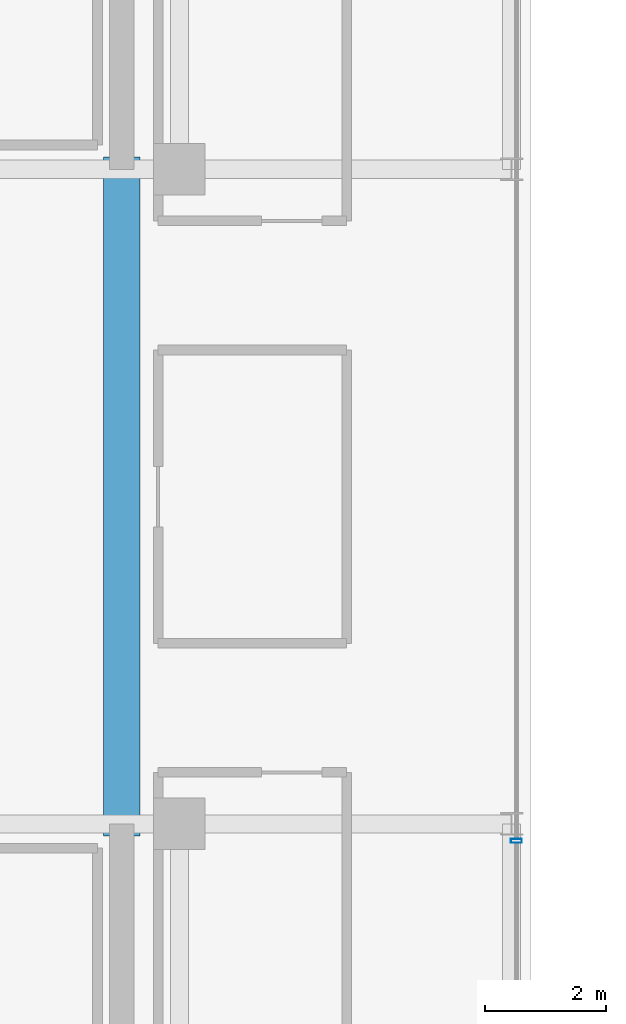
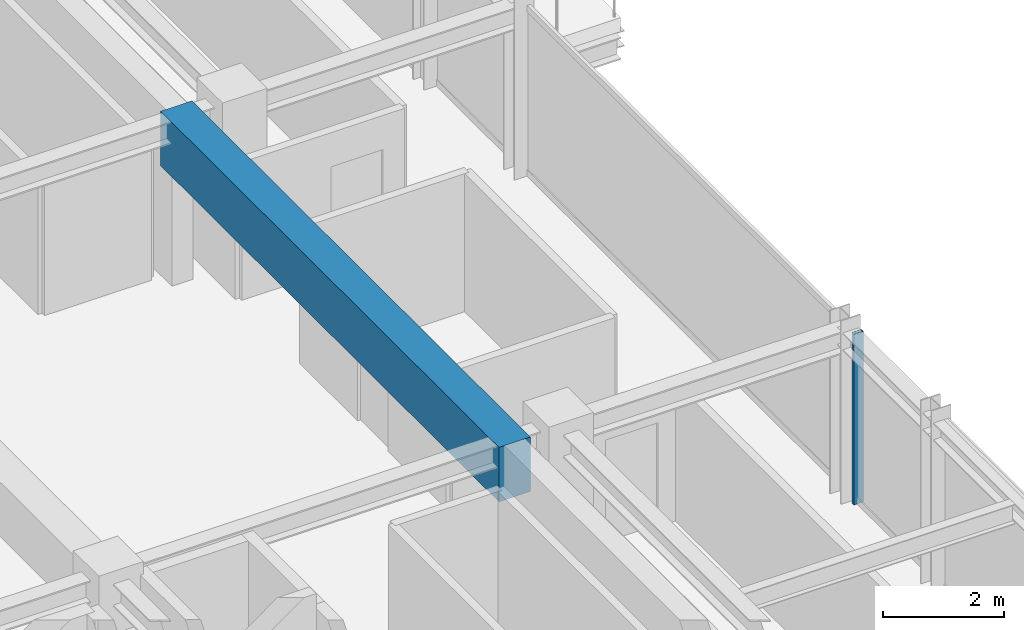
# One storey, part 13 of 32: 1 beam, 1 member, 1 element without a shape of its own.
"""IFC4 building model written with IfcOpenShell, lengths in metres."""

from ifc_helpers import new_model, si_unit, direction, frame, origin, origin_2d, place, context, subcontext, project, spatial, rectangle, hollow_rectangle, extrude, source, transform, mapped, material, material_profile, profile_set, type_object, element, aggregate, save


model = new_model("IFC4")

# Units and contexts
model_context = context("Model", 3, precision=1e-05, world=origin(), true_north=direction((0.0, 1.0)))
body_context = subcontext(model_context, "Body", "Model", "MODEL_VIEW")
ifc_project = project(units=[si_unit("LENGTHUNIT", "METRE"), si_unit("AREAUNIT", "SQUARE_METRE"), si_unit("VOLUMEUNIT", "CUBIC_METRE"), si_unit("PLANEANGLEUNIT", "RADIAN"), si_unit("MASSUNIT", "GRAM", prefix="KILO")], contexts=[model_context])

# Site, building, storey
site_placement = place(None, origin())
site = spatial("IfcSite", under=ifc_project, at=site_placement, CompositionType="ELEMENT")
building_placement = place(site_placement, origin())
building = spatial("IfcBuilding", under=site, at=building_placement, Name="Nahalor Promenade Grand Hotel", CompositionType="ELEMENT")
storey_placement = place(building_placement, frame((0.0, 0.0, 285.050048828125)))
storey = spatial("IfcBuildingStorey", under=building, at=storey_placement, Name="L73", CompositionType="ELEMENT", Elevation=285.050048828125)

# Beam
ifc_material_1 = material(Name="Concrete B-60 (C50/60)", Category="concrete")
ifc_material_profile_1 = material_profile(ifc_material_1, rectangle(XDim=0.6, YDim=1.1, at=origin_2d()), Name="RC 600x1100")
ifc_profile_set_1 = profile_set([ifc_material_profile_1], Name="Concrete B-60 (C50/60)")
beam_type = type_object("IfcBeamType", Name="Beam-Lintel-RC1100", PredefinedType="LINTEL", material=ifc_profile_set_1)
shared_shape_1 = source(origin(), body_context, "Body", "SweptSolid", [
    extrude(rectangle(XDim=0.6, YDim=1.1, at=origin_2d()), origin(), (0.0, 0.0, 1.0), 11.2001953125),
])
beam_placement = place(storey_placement, frame((16.050048828125, -5.60009765625, 2.89990234375), z_axis=(0.0, 1.0, 0.0), x_axis=(-1.0, 0.0, 0.0)))
element("IfcBeam", 1, at=beam_placement, inside=storey, type_object=beam_type, Name="BM-L73-LINT-E", PredefinedType="LINTEL", context=body_context, shape_type="MappedRepresentation", body=[
    mapped(shared_shape_1, transform((0.0, 0.0, 0.0), scale=1.0)),
])

# Curtain wall, member
ifc_material_2 = material(Name="Anodised Bronze Aluminium EN AW-6063 T6", Category="aluminium")
curtain_wall_type = type_object("IfcCurtainWallType", Name="CW2 Typical Hotel Flush Bronze Unitised Curtain Wall", PredefinedType="USERDEFINED", material=ifc_material_2)
curtain_wall_placement = place(storey_placement, origin())
curtain_wall = element("IfcCurtainWall", 2, at=curtain_wall_placement, inside=storey, type_object=curtain_wall_type, Name="L73 Curtain Wall CW-L73-E-1", ObjectType="UNITISED_CURTAIN_WALL", PredefinedType="USERDEFINED")
ifc_material_profile_2 = material_profile(ifc_material_2, hollow_rectangle(XDim=0.065, YDim=0.18, WallThickness=0.004, at=origin_2d()), Name="CWM 65x180x4")
ifc_profile_set_2 = profile_set([ifc_material_profile_2], Name="Anodised Bronze Aluminium EN AW-6063 T6")
member_type = type_object("IfcMemberType", Name="CWM2 Typical Bronze Mullion 65x180", PredefinedType="MULLION", material=ifc_profile_set_2)
shared_shape_2 = source(origin(), body_context, "Body", "SweptSolid", [
    extrude(hollow_rectangle(XDim=0.065, YDim=0.18, WallThickness=0.004, at=origin_2d()), origin(), (0.0, 0.0, 1.0), 3.449951171875),
])
member_placement = place(storey_placement, frame((22.56005859375, -5.679931640625, 0.0), z_axis=(0.0, 0.0, 1.0), x_axis=(0.0, 1.0, 0.0)))
member = element("IfcMember", 3, at=member_placement, type_object=member_type, Name="CW-L73-E-1 Mullion 1", PredefinedType="MULLION", context=body_context, shape_type="MappedRepresentation", body=[
    mapped(shared_shape_2, transform((0.0, 0.0, 0.0), scale=1.0)),
])
aggregate(curtain_wall, [member])

save(model, "model.ifc")
